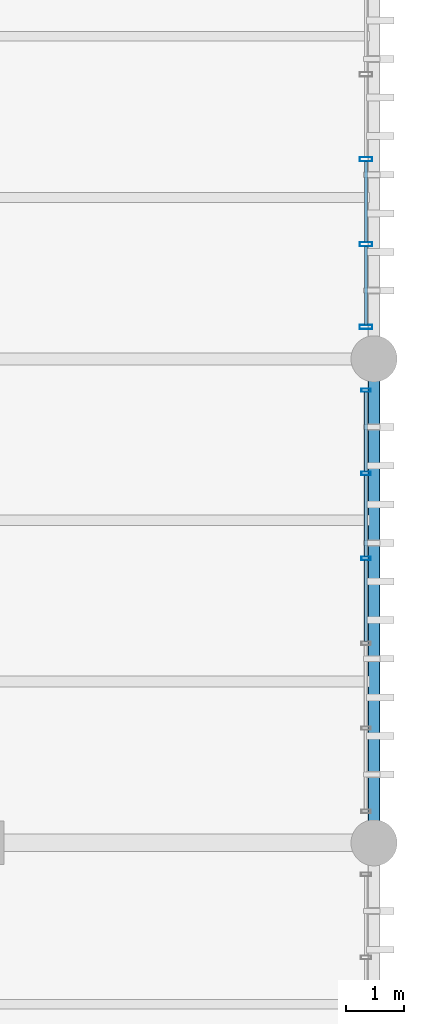
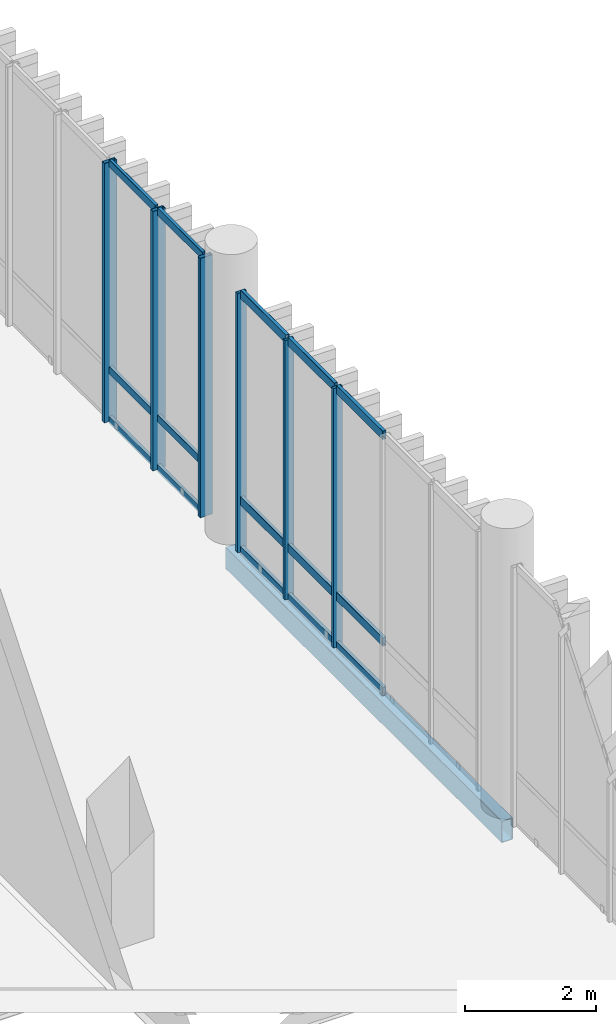
# One storey, part 84 of 128: 21 members, 1 beam, 2 elements without a shape of their own.
"""IFC4 building model written with IfcOpenShell, lengths in metres."""

from ifc_helpers import new_model, si_unit, direction, frame, origin_with_axes, origin_2d_with_axis, place, context, subcontext, project, spatial, hollow_rectangle, extrude, material, material_profile, profile_set, type_object, element, aggregate, save


model = new_model("IFC4")

# Units and contexts
model_context = context("Model", 3, precision=1e-05, world=origin_with_axes(), true_north=direction((0.0, 1.0)))
body_context = subcontext(model_context, "Body", "Model", "MODEL_VIEW")
ifc_project = project(units=[si_unit("LENGTHUNIT", "METRE"), si_unit("AREAUNIT", "SQUARE_METRE"), si_unit("VOLUMEUNIT", "CUBIC_METRE"), si_unit("PLANEANGLEUNIT", "RADIAN"), si_unit("MASSUNIT", "GRAM", prefix="KILO"), si_unit("THERMODYNAMICTEMPERATUREUNIT", "KELVIN")], contexts=[model_context])

# Site, building, storey
site_placement = place(None, origin_with_axes())
site = spatial("IfcSite", under=ifc_project, at=site_placement, CompositionType="ELEMENT")
building_placement = place(site_placement, origin_with_axes())
building = spatial("IfcBuilding", under=site, at=building_placement, Name="Montbau Bow Law Courts", CompositionType="ELEMENT")
storey_placement = place(building_placement, frame((0.0, 0.0, 5.4), z_axis=(0.0, 0.0, 1.0), x_axis=(1.0, 0.0, 0.0)))
storey = spatial("IfcBuildingStorey", under=building, at=storey_placement, Name="L01", CompositionType="ELEMENT", Elevation=5.4)

# Beam
ifc_material_1 = material(Name="Steel CSA G40.21 Grade 350WT (350 MPa)", Category="steel")
ifc_material_profile_1 = material_profile(ifc_material_1, hollow_rectangle(XDim=0.203, YDim=0.406, WallThickness=0.0127, InnerFilletRadius=0.0254, OuterFilletRadius=0.0127, at=origin_2d_with_axis()), Name="HSS406X203X13", Category="Main", Priority=0)
ifc_profile_set_1 = profile_set([ifc_material_profile_1], Name="Steel CSA G40.21 Grade 350WT (350 MPa)")
beam_type = type_object("IfcBeamType", Name="B-SPN-01", PredefinedType="SPANDREL", material=ifc_profile_set_1)
beam_placement = place(None, frame((169.4, 78.0, 4.917), z_axis=(0.0, 1.0, 0.0), x_axis=(-1.0, 0.0, 0.0)))
element("IfcBeam", 1, at=beam_placement, inside=storey, type_object=beam_type, Name="SPN-L01-S1160:bm2_1163", PredefinedType="SPANDREL", context=body_context, shape_type="SweptSolid", body=[
    extrude(hollow_rectangle(XDim=0.203, YDim=0.406, WallThickness=0.0127, InnerFilletRadius=0.0254, OuterFilletRadius=0.0127, at=origin_2d_with_axis()), origin_with_axes(), (0.0, 0.0, 1.0), 8.4),
])

# Curtain wall, members
ifc_material_2 = material(Name="Thermally Broken Extruded Aluminium AA 6063-T6", Category="aluminium")
curtain_wall_type = type_object("IfcCurtainWallType", Name="CW-SLT-01", PredefinedType="NOTDEFINED", material=ifc_material_2)
curtain_wall_1_placement = place(None, frame((169.26, 86.915, 5.4), z_axis=(0.0, 0.0, 1.0), x_axis=(1.0, 0.0, 0.0)))
curtain_wall_1 = element("IfcCurtainWall", 2, at=curtain_wall_1_placement, inside=storey, type_object=curtain_wall_type, Name="CW-L01-291:cw_0291", PredefinedType="NOTDEFINED")
ifc_material_profile_2 = material_profile(ifc_material_2, hollow_rectangle(XDim=0.075, YDim=0.22, WallThickness=0.005, InnerFilletRadius=0.01, OuterFilletRadius=0.005, at=origin_2d_with_axis()), Name="CWM-220X75", Category="Main", Priority=0)
ifc_profile_set_2 = profile_set([ifc_material_profile_2], Name="Thermally Broken Extruded Aluminium AA 6063-T6")
member_type_1 = type_object("IfcMemberType", Name="M-MUL-01", PredefinedType="MULLION", material=ifc_profile_set_2)
member_1_placement = place(None, frame((169.26, 86.952, 5.4), z_axis=(0.0, 0.0, 1.0), x_axis=(0.0, 1.0, 0.0)))
member_1 = element("IfcMember", 3, at=member_1_placement, type_object=member_type_1, Name="CW-L01-291-M01:cw_0291_M01", PredefinedType="MULLION", context=body_context, shape_type="SweptSolid", body=[
    extrude(hollow_rectangle(XDim=0.075, YDim=0.22, WallThickness=0.005, InnerFilletRadius=0.01, OuterFilletRadius=0.005, at=origin_2d_with_axis()), origin_with_axes(), (0.0, 0.0, 1.0), 4.82),
])
member_2_placement = place(None, frame((169.26, 88.389, 5.4), z_axis=(0.0, 0.0, 1.0), x_axis=(0.0, 1.0, 0.0)))
member_2 = element("IfcMember", 4, at=member_2_placement, type_object=member_type_1, Name="CW-L01-291-M02:cw_0291_M02", PredefinedType="MULLION", context=body_context, shape_type="SweptSolid", body=[
    extrude(hollow_rectangle(XDim=0.075, YDim=0.22, WallThickness=0.005, InnerFilletRadius=0.01, OuterFilletRadius=0.005, at=origin_2d_with_axis()), origin_with_axes(), (0.0, 0.0, 1.0), 4.82),
])
member_3_placement = place(None, frame((169.26, 89.863, 5.4), z_axis=(0.0, 0.0, 1.0), x_axis=(0.0, 1.0, 0.0)))
member_3 = element("IfcMember", 5, at=member_3_placement, type_object=member_type_1, Name="CW-L01-291-M03:cw_0291_M03", PredefinedType="MULLION", context=body_context, shape_type="SweptSolid", body=[
    extrude(hollow_rectangle(XDim=0.075, YDim=0.22, WallThickness=0.005, InnerFilletRadius=0.01, OuterFilletRadius=0.005, at=origin_2d_with_axis()), origin_with_axes(), (0.0, 0.0, 1.0), 4.82),
])

curtain_wall_2_placement = place(None, frame((169.26, 78.515, 5.4), z_axis=(0.0, 0.0, 1.0), x_axis=(1.0, 0.0, 0.0)))
curtain_wall_2 = element("IfcCurtainWall", 6, at=curtain_wall_2_placement, inside=storey, type_object=curtain_wall_type, Name="CW-L01-290:cw_0290", PredefinedType="NOTDEFINED")
ifc_material_profile_3 = material_profile(ifc_material_2, hollow_rectangle(XDim=0.06, YDim=0.16, WallThickness=0.004, InnerFilletRadius=0.008, OuterFilletRadius=0.004, at=origin_2d_with_axis()), Name="CWM-160X60", Category="Main", Priority=0)
ifc_profile_set_3 = profile_set([ifc_material_profile_3], Name="Thermally Broken Extruded Aluminium AA 6063-T6")
member_type_2 = type_object("IfcMemberType", Name="M-MUL-03", PredefinedType="MULLION", material=ifc_profile_set_3)
member_4_placement = place(None, frame((169.26, 82.937, 5.4), z_axis=(0.0, 0.0, 1.0), x_axis=(0.0, 1.0, 0.0)))
member_4 = element("IfcMember", 7, at=member_4_placement, type_object=member_type_2, Name="CW-L01-290-M04:cw_0290_M04", PredefinedType="MULLION", context=body_context, shape_type="SweptSolid", body=[
    extrude(hollow_rectangle(XDim=0.06, YDim=0.16, WallThickness=0.004, InnerFilletRadius=0.008, OuterFilletRadius=0.004, at=origin_2d_with_axis()), origin_with_axes(), (0.0, 0.0, 1.0), 4.82),
])
member_5_placement = place(None, frame((169.26, 84.411, 5.4), z_axis=(0.0, 0.0, 1.0), x_axis=(0.0, 1.0, 0.0)))
member_5 = element("IfcMember", 8, at=member_5_placement, type_object=member_type_2, Name="CW-L01-290-M05:cw_0290_M05", PredefinedType="MULLION", context=body_context, shape_type="SweptSolid", body=[
    extrude(hollow_rectangle(XDim=0.06, YDim=0.16, WallThickness=0.004, InnerFilletRadius=0.008, OuterFilletRadius=0.004, at=origin_2d_with_axis()), origin_with_axes(), (0.0, 0.0, 1.0), 4.82),
])
member_6_placement = place(None, frame((169.26, 85.855, 5.4), z_axis=(0.0, 0.0, 1.0), x_axis=(0.0, 1.0, 0.0)))
member_6 = element("IfcMember", 9, at=member_6_placement, type_object=member_type_2, Name="CW-L01-290-M06:cw_0290_M06", PredefinedType="MULLION", context=body_context, shape_type="SweptSolid", body=[
    extrude(hollow_rectangle(XDim=0.06, YDim=0.16, WallThickness=0.004, InnerFilletRadius=0.008, OuterFilletRadius=0.004, at=origin_2d_with_axis()), origin_with_axes(), (0.0, 0.0, 1.0), 4.82),
])
ifc_material_profile_4 = material_profile(ifc_material_2, hollow_rectangle(XDim=0.06, YDim=0.16, WallThickness=0.004, InnerFilletRadius=0.008, OuterFilletRadius=0.004, at=origin_2d_with_axis()), Name="CWT-160X60", Category="Main", Priority=0)
ifc_profile_set_4 = profile_set([ifc_material_profile_4], Name="Thermally Broken Extruded Aluminium AA 6063-T6")
member_type_3 = type_object("IfcMemberType", Name="M-TRN-01", PredefinedType="USERDEFINED", material=ifc_profile_set_4)
member_7_placement = place(None, frame((169.26, 81.495, 5.43), z_axis=(0.0, 1.0, 0.0), x_axis=(-1.0, 0.0, 0.0)))
member_7 = element("IfcMember", 10, at=member_7_placement, type_object=member_type_3, Name="CW-L01-290-T03-1:cw_0290_T03_1", ObjectType="TRANSOM", PredefinedType="USERDEFINED", context=body_context, shape_type="SweptSolid", body=[
    extrude(hollow_rectangle(XDim=0.06, YDim=0.16, WallThickness=0.004, InnerFilletRadius=0.008, OuterFilletRadius=0.004, at=origin_2d_with_axis()), origin_with_axes(), (0.0, 0.0, 1.0), 1.41),
])
member_8_placement = place(None, frame((169.26, 81.495, 6.35), z_axis=(0.0, 1.0, 0.0), x_axis=(-1.0, 0.0, 0.0)))
member_8 = element("IfcMember", 11, at=member_8_placement, type_object=member_type_3, Name="CW-L01-290-T03-2:cw_0290_T03_2", ObjectType="TRANSOM", PredefinedType="USERDEFINED", context=body_context, shape_type="SweptSolid", body=[
    extrude(hollow_rectangle(XDim=0.06, YDim=0.16, WallThickness=0.004, InnerFilletRadius=0.008, OuterFilletRadius=0.004, at=origin_2d_with_axis()), origin_with_axes(), (0.0, 0.0, 1.0), 1.41),
])
member_9_placement = place(None, frame((169.26, 81.495, 10.19), z_axis=(0.0, 1.0, 0.0), x_axis=(-1.0, 0.0, 0.0)))
member_9 = element("IfcMember", 12, at=member_9_placement, type_object=member_type_3, Name="CW-L01-290-T03-3:cw_0290_T03_3", ObjectType="TRANSOM", PredefinedType="USERDEFINED", context=body_context, shape_type="SweptSolid", body=[
    extrude(hollow_rectangle(XDim=0.06, YDim=0.16, WallThickness=0.004, InnerFilletRadius=0.008, OuterFilletRadius=0.004, at=origin_2d_with_axis()), origin_with_axes(), (0.0, 0.0, 1.0), 1.41),
])
member_10_placement = place(None, frame((169.26, 82.969, 5.43), z_axis=(0.0, 1.0, 0.0), x_axis=(-1.0, 0.0, 0.0)))
member_10 = element("IfcMember", 13, at=member_10_placement, type_object=member_type_3, Name="CW-L01-290-T04-1:cw_0290_T04_1", ObjectType="TRANSOM", PredefinedType="USERDEFINED", context=body_context, shape_type="SweptSolid", body=[
    extrude(hollow_rectangle(XDim=0.06, YDim=0.16, WallThickness=0.004, InnerFilletRadius=0.008, OuterFilletRadius=0.004, at=origin_2d_with_axis()), origin_with_axes(), (0.0, 0.0, 1.0), 1.41),
])
member_11_placement = place(None, frame((169.26, 82.969, 6.35), z_axis=(0.0, 1.0, 0.0), x_axis=(-1.0, 0.0, 0.0)))
member_11 = element("IfcMember", 14, at=member_11_placement, type_object=member_type_3, Name="CW-L01-290-T04-2:cw_0290_T04_2", ObjectType="TRANSOM", PredefinedType="USERDEFINED", context=body_context, shape_type="SweptSolid", body=[
    extrude(hollow_rectangle(XDim=0.06, YDim=0.16, WallThickness=0.004, InnerFilletRadius=0.008, OuterFilletRadius=0.004, at=origin_2d_with_axis()), origin_with_axes(), (0.0, 0.0, 1.0), 1.41),
])
member_12_placement = place(None, frame((169.26, 82.969, 10.19), z_axis=(0.0, 1.0, 0.0), x_axis=(-1.0, 0.0, 0.0)))
member_12 = element("IfcMember", 15, at=member_12_placement, type_object=member_type_3, Name="CW-L01-290-T04-3:cw_0290_T04_3", ObjectType="TRANSOM", PredefinedType="USERDEFINED", context=body_context, shape_type="SweptSolid", body=[
    extrude(hollow_rectangle(XDim=0.06, YDim=0.16, WallThickness=0.004, InnerFilletRadius=0.008, OuterFilletRadius=0.004, at=origin_2d_with_axis()), origin_with_axes(), (0.0, 0.0, 1.0), 1.41),
])
member_13_placement = place(None, frame((169.26, 84.443, 5.43), z_axis=(0.0, 1.0, 0.0), x_axis=(-1.0, 0.0, 0.0)))
member_13 = element("IfcMember", 16, at=member_13_placement, type_object=member_type_3, Name="CW-L01-290-T05-1:cw_0290_T05_1", ObjectType="TRANSOM", PredefinedType="USERDEFINED", context=body_context, shape_type="SweptSolid", body=[
    extrude(hollow_rectangle(XDim=0.06, YDim=0.16, WallThickness=0.004, InnerFilletRadius=0.008, OuterFilletRadius=0.004, at=origin_2d_with_axis()), origin_with_axes(), (0.0, 0.0, 1.0), 1.38),
])
member_14_placement = place(None, frame((169.26, 84.443, 6.35), z_axis=(0.0, 1.0, 0.0), x_axis=(-1.0, 0.0, 0.0)))
member_14 = element("IfcMember", 17, at=member_14_placement, type_object=member_type_3, Name="CW-L01-290-T05-2:cw_0290_T05_2", ObjectType="TRANSOM", PredefinedType="USERDEFINED", context=body_context, shape_type="SweptSolid", body=[
    extrude(hollow_rectangle(XDim=0.06, YDim=0.16, WallThickness=0.004, InnerFilletRadius=0.008, OuterFilletRadius=0.004, at=origin_2d_with_axis()), origin_with_axes(), (0.0, 0.0, 1.0), 1.38),
])
member_15_placement = place(None, frame((169.26, 84.443, 10.19), z_axis=(0.0, 1.0, 0.0), x_axis=(-1.0, 0.0, 0.0)))
member_15 = element("IfcMember", 18, at=member_15_placement, type_object=member_type_3, Name="CW-L01-290-T05-3:cw_0290_T05_3", ObjectType="TRANSOM", PredefinedType="USERDEFINED", context=body_context, shape_type="SweptSolid", body=[
    extrude(hollow_rectangle(XDim=0.06, YDim=0.16, WallThickness=0.004, InnerFilletRadius=0.008, OuterFilletRadius=0.004, at=origin_2d_with_axis()), origin_with_axes(), (0.0, 0.0, 1.0), 1.38),
])
aggregate(curtain_wall_2, [member_4, member_5, member_6, member_7, member_8, member_9, member_10, member_11, member_12, member_13, member_14, member_15])

# Member
ifc_material_profile_5 = material_profile(ifc_material_2, hollow_rectangle(XDim=0.055, YDim=0.14, WallThickness=0.004, InnerFilletRadius=0.008, OuterFilletRadius=0.004, at=origin_2d_with_axis()), Name="CWT-140X55", Category="Main", Priority=0)
ifc_profile_set_5 = profile_set([ifc_material_profile_5], Name="Thermally Broken Extruded Aluminium AA 6063-T6")
member_type_4 = type_object("IfcMemberType", Name="M-TRN-02", PredefinedType="USERDEFINED", material=ifc_profile_set_5)
member_16_placement = place(None, frame((169.26, 86.991, 5.428), z_axis=(0.0, 1.0, 0.0), x_axis=(-1.0, 0.0, 0.0)))
member_16 = element("IfcMember", 19, at=member_16_placement, type_object=member_type_4, Name="CW-L01-291-T01-1:cw_0291_T01_1", ObjectType="TRANSOM", PredefinedType="USERDEFINED", context=body_context, shape_type="SweptSolid", body=[
    extrude(hollow_rectangle(XDim=0.055, YDim=0.14, WallThickness=0.004, InnerFilletRadius=0.008, OuterFilletRadius=0.004, at=origin_2d_with_axis()), origin_with_axes(), (0.0, 0.0, 1.0), 1.358),
])

member_17_placement = place(None, frame((169.26, 86.991, 6.35), z_axis=(0.0, 1.0, 0.0), x_axis=(-1.0, 0.0, 0.0)))
member_17 = element("IfcMember", 20, at=member_17_placement, type_object=member_type_4, Name="CW-L01-291-T01-2:cw_0291_T01_2", ObjectType="TRANSOM", PredefinedType="USERDEFINED", context=body_context, shape_type="SweptSolid", body=[
    extrude(hollow_rectangle(XDim=0.055, YDim=0.14, WallThickness=0.004, InnerFilletRadius=0.008, OuterFilletRadius=0.004, at=origin_2d_with_axis()), origin_with_axes(), (0.0, 0.0, 1.0), 1.358),
])

member_18_placement = place(None, frame((169.26, 86.991, 10.193), z_axis=(0.0, 1.0, 0.0), x_axis=(-1.0, 0.0, 0.0)))
member_18 = element("IfcMember", 21, at=member_18_placement, type_object=member_type_4, Name="CW-L01-291-T01-3:cw_0291_T01_3", ObjectType="TRANSOM", PredefinedType="USERDEFINED", context=body_context, shape_type="SweptSolid", body=[
    extrude(hollow_rectangle(XDim=0.055, YDim=0.14, WallThickness=0.004, InnerFilletRadius=0.008, OuterFilletRadius=0.004, at=origin_2d_with_axis()), origin_with_axes(), (0.0, 0.0, 1.0), 1.358),
])

member_19_placement = place(None, frame((169.26, 88.429, 5.428), z_axis=(0.0, 1.0, 0.0), x_axis=(-1.0, 0.0, 0.0)))
member_19 = element("IfcMember", 22, at=member_19_placement, type_object=member_type_4, Name="CW-L01-291-T02-1:cw_0291_T02_1", ObjectType="TRANSOM", PredefinedType="USERDEFINED", context=body_context, shape_type="SweptSolid", body=[
    extrude(hollow_rectangle(XDim=0.055, YDim=0.14, WallThickness=0.004, InnerFilletRadius=0.008, OuterFilletRadius=0.004, at=origin_2d_with_axis()), origin_with_axes(), (0.0, 0.0, 1.0), 1.395),
])

member_20_placement = place(None, frame((169.26, 88.429, 6.35), z_axis=(0.0, 1.0, 0.0), x_axis=(-1.0, 0.0, 0.0)))
member_20 = element("IfcMember", 23, at=member_20_placement, type_object=member_type_4, Name="CW-L01-291-T02-2:cw_0291_T02_2", ObjectType="TRANSOM", PredefinedType="USERDEFINED", context=body_context, shape_type="SweptSolid", body=[
    extrude(hollow_rectangle(XDim=0.055, YDim=0.14, WallThickness=0.004, InnerFilletRadius=0.008, OuterFilletRadius=0.004, at=origin_2d_with_axis()), origin_with_axes(), (0.0, 0.0, 1.0), 1.395),
])

member_21_placement = place(None, frame((169.26, 88.429, 10.193), z_axis=(0.0, 1.0, 0.0), x_axis=(-1.0, 0.0, 0.0)))
member_21 = element("IfcMember", 24, at=member_21_placement, type_object=member_type_4, Name="CW-L01-291-T02-3:cw_0291_T02_3", ObjectType="TRANSOM", PredefinedType="USERDEFINED", context=body_context, shape_type="SweptSolid", body=[
    extrude(hollow_rectangle(XDim=0.055, YDim=0.14, WallThickness=0.004, InnerFilletRadius=0.008, OuterFilletRadius=0.004, at=origin_2d_with_axis()), origin_with_axes(), (0.0, 0.0, 1.0), 1.395),
])

aggregate(curtain_wall_1, [member_1, member_2, member_3, member_16, member_17, member_18, member_19, member_20, member_21])

save(model, "model.ifc")
